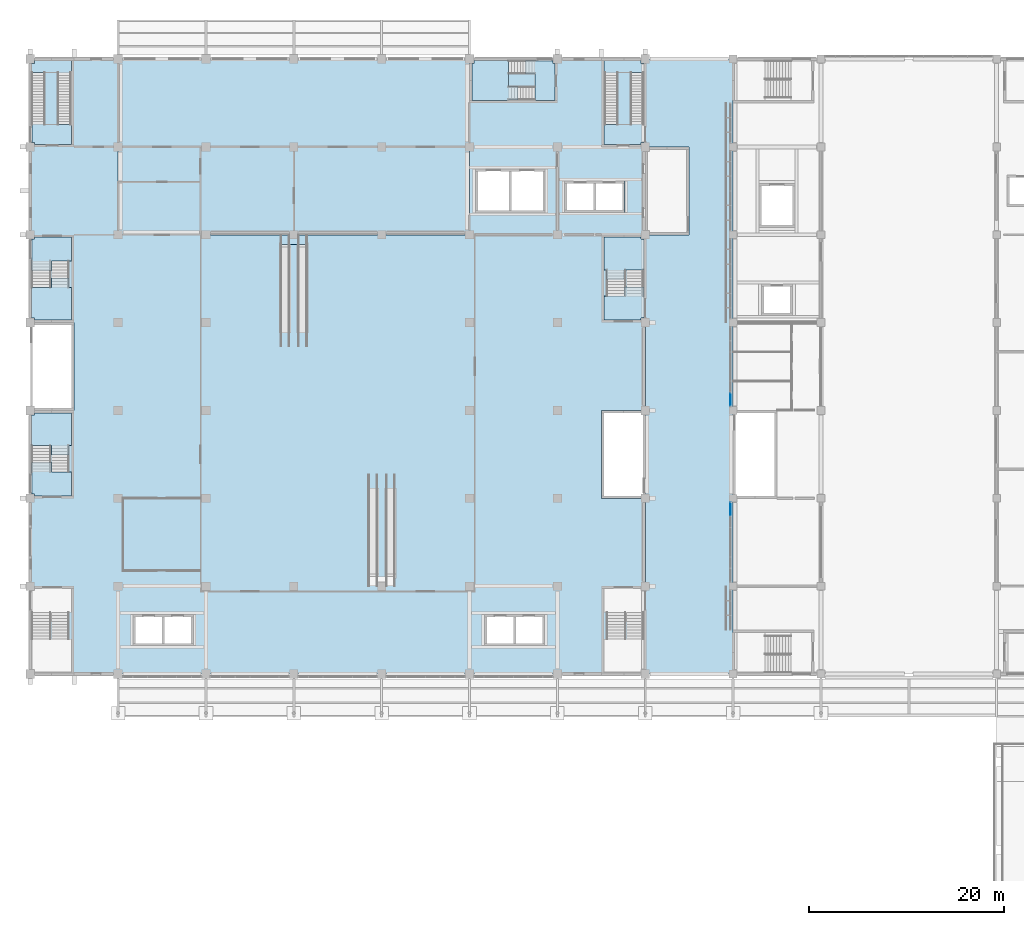
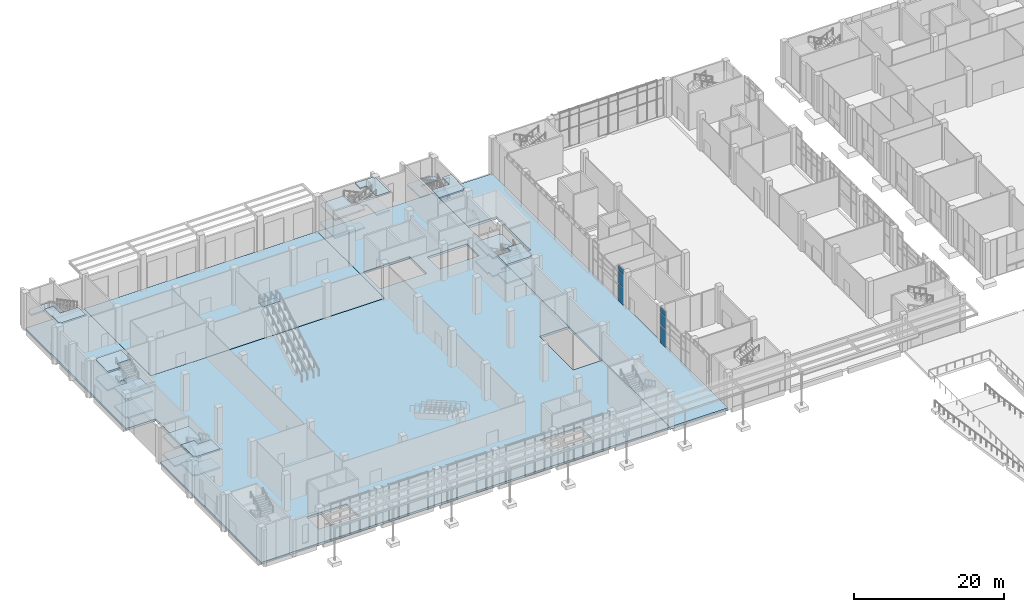
# One storey, part 41 of 86: 23 slabs, 7 plates, 8 elements without a shape of their own.
"""IFC4 building model written with IfcOpenShell, lengths in metres."""

from ifc_helpers import new_model, si_unit, direction, frame, origin, origin_2d, place, context, subcontext, project, spatial, polyline, rectangle, outline, extrude, material, layer, layer_set, type_object, element, aggregate, save


model = new_model("IFC4")

# Units and contexts
model_context = context("Model", 3, precision=1e-05, world=origin(), true_north=direction((0.0, 1.0)))
body_context = subcontext(model_context, "Body", "Model", "MODEL_VIEW")
ifc_project = project(units=[si_unit("LENGTHUNIT", "METRE"), si_unit("AREAUNIT", "SQUARE_METRE"), si_unit("VOLUMEUNIT", "CUBIC_METRE"), si_unit("PLANEANGLEUNIT", "RADIAN"), si_unit("MASSUNIT", "GRAM", prefix="KILO")], contexts=[model_context])

# Site, building, storey
site_placement = place(None, origin())
site = spatial("IfcSite", under=ifc_project, at=site_placement, CompositionType="ELEMENT")
building_placement = place(site_placement, origin())
building = spatial("IfcBuilding", under=site, at=building_placement, Name="Guidao Yard Department Store", CompositionType="ELEMENT")
storey_placement = place(building_placement, origin())
storey = spatial("IfcBuildingStorey", under=building, at=storey_placement, Name="L00", CompositionType="ELEMENT", Elevation=0.0)

# Slab
ifc_material_1 = material(Name="Concrete C35", Category="concrete")
ifc_layer_1 = layer(ifc_material_1, 0.39990234375)
ifc_layer_set_1 = layer_set([ifc_layer_1], Name="Deck slab 400 C35")
slab_type_1 = type_object("IfcSlabType", Name="Deck slab 400 C35", PredefinedType="FLOOR", material=ifc_layer_set_1)
slab_1_placement = place(storey_placement, frame((0.0, 0.0, -0.39990234375)))
element("IfcSlab", 1, at=slab_1_placement, inside=storey, type_object=slab_type_1, Name="Slab L00-L1", PredefinedType="FLOOR", context=body_context, shape_type="SweptSolid", body=[
    extrude(outline(polyline([(72.0, 45.0), (63.0, 45.0), (63.0, 63.0), (63.0, 72.0), (63.0, 90.0), (67.5, 90.0), (67.5, 99.0), (63.0, 99.0), (63.0, 108.0), (72.0, 108.0), (72.0, 72.0), (72.0, 63.0), (72.0, 45.0)])), origin(), (0.0, 0.0, 1.0), 0.39990234375),
])

# Plate
ifc_material_2 = material(Name="Stainless steel 06Cr19Ni10", Category="steel")
ifc_layer_2 = layer(ifc_material_2, 0.10009765625)
ifc_layer_set_2 = layer_set([ifc_layer_2], Name="Escalator landing plate 100")
plate_type_1 = type_object("IfcPlateType", Name="Escalator landing plate 100", PredefinedType="SHEET", material=ifc_layer_set_2)
plate_1_placement = place(storey_placement, frame((27.0, 89.49609375, 5.89990234375), z_axis=(0.0, 0.0, 1.0), x_axis=(1.0, 0.0, 0.0)))
element("IfcPlate", 2, at=plate_1_placement, inside=storey, type_object=plate_type_1, Name="Escalator EH1 upper landing plate", PredefinedType="SHEET", context=body_context, shape_type="SweptSolid", body=[
    extrude(rectangle(XDim=2.639892578125, YDim=1.008056640625, at=origin_2d()), origin(), (0.0, 0.0, 1.0), 0.10009765625),
])

# Slabs
ifc_material_3 = material(Name="Concrete C35", Category="concrete")
ifc_layer_3 = layer(ifc_material_3, 0.35009765625)
ifc_layer_set_3 = layer_set([ifc_layer_3], Name="Flat slab 350 C35")
slab_type_2 = type_object("IfcSlabType", Name="Flat slab 350 C35", PredefinedType="FLOOR", material=ifc_layer_set_3)
slab_2_placement = place(storey_placement, frame((0.0, 0.0, -0.35009765625)))
element("IfcSlab", 3, at=slab_2_placement, inside=storey, type_object=slab_type_2, Name="Slab L00-H", PredefinedType="FLOOR", context=body_context, shape_type="SweptSolid", body=[
    extrude(outline(polyline([(0.0, 72.0), (4.5, 72.0), (4.5, 81.0), (0.0, 81.0), (0.0, 108.0), (9.0, 108.0), (9.0, 90.0), (45.0, 90.0), (45.0, 108.0), (63.0, 108.0), (63.0, 99.0), (63.0, 90.0), (63.0, 72.0), (58.5, 72.0), (58.5, 63.0), (63.0, 63.0), (63.0, 45.0), (0.0, 45.0), (0.0, 72.0)]), holes=[polyline([(16.699951171875, 47.89990234375), (16.699951171875, 51.10009765625), (13.75, 51.10009765625), (13.5, 51.10009765625), (10.550048828125, 51.10009765625), (10.550048828125, 47.89990234375), (13.5, 47.89990234375), (13.75, 47.89990234375), (16.699951171875, 47.89990234375)]), polyline([(49.75, 51.10009765625), (49.5, 51.10009765625), (46.550048828125, 51.10009765625), (46.550048828125, 47.89990234375), (49.5, 47.89990234375), (49.75, 47.89990234375), (52.699951171875, 47.89990234375), (52.699951171875, 51.10009765625), (49.75, 51.10009765625)]), polyline([(57.949951171875, 95.5), (57.699951171875, 95.5), (54.75, 95.5), (54.75, 92.300048828125), (57.699951171875, 92.300048828125), (57.949951171875, 92.300048828125), (60.89990234375, 92.300048828125), (60.89990234375, 95.5), (57.949951171875, 95.5)]), polyline([(49.300048828125, 96.75), (49.050048828125, 96.75), (45.60009765625, 96.75), (45.60009765625, 92.25), (49.050048828125, 92.25), (49.300048828125, 92.25), (52.75, 92.25), (52.75, 96.75), (49.300048828125, 96.75)])]), origin(), (0.0, 0.0, 1.0), 0.35009765625),
])
ifc_material_4 = material(Name="Concrete C35", Category="concrete")
ifc_layer_4 = layer(ifc_material_4, 0.449951171875)
ifc_layer_set_4 = layer_set([ifc_layer_4], Name="Loading deck slab 450 C35")
slab_type_3 = type_object("IfcSlabType", Name="Loading deck slab 450 C35", PredefinedType="FLOOR", material=ifc_layer_set_4)
slab_3_placement = place(storey_placement, frame((0.0, 0.0, -0.449951171875)))
element("IfcSlab", 4, at=slab_3_placement, inside=storey, type_object=slab_type_3, Name="Slab L00-DK", PredefinedType="FLOOR", context=body_context, shape_type="SweptSolid", body=[
    extrude(outline(polyline([(45.0, 108.0), (45.0, 90.0), (9.0, 90.0), (9.0, 108.0), (45.0, 108.0)])), origin(), (0.0, 0.0, 1.0), 0.449951171875),
])

# Curtain wall, plate
ifc_material_5 = material(Name="Aluminium and glass", Category="aluminium")
ifc_layer_5 = layer(ifc_material_5, 0.159912109375)
ifc_layer_set_5 = layer_set([ifc_layer_5], Name="Shopfront curtain wall CW1 1500 module")
curtain_wall_type = type_object("IfcCurtainWallType", Name="Shopfront curtain wall CW1 1500 module", PredefinedType="NOTDEFINED", material=ifc_layer_set_5)
curtain_wall_1_placement = place(storey_placement, origin())
curtain_wall_1 = element("IfcCurtainWall", 5, at=curtain_wall_1_placement, inside=storey, type_object=curtain_wall_type, Name="Arcade shop front", PredefinedType="NOTDEFINED")
ifc_material_6 = material(Name="Aluminium 6063-T5 faced insulated spandrel", Category="aluminium")
ifc_layer_6 = layer(ifc_material_6, 0.06005859375)
ifc_layer_set_6 = layer_set([ifc_layer_6], Name="Spandrel panel SP1 insulated opaque")
plate_type_2 = type_object("IfcPlateType", Name="Spandrel panel SP1 insulated opaque", PredefinedType="CURTAIN_PANEL", material=ifc_layer_set_6)
plate_2_placement = place(storey_placement, frame((71.719970703125, 61.875, 5.1298828125), z_axis=(0.0, 0.0, 1.0), x_axis=(0.0, 1.0, 0.0)))
plate_2 = element("IfcPlate", 6, at=plate_2_placement, type_object=plate_type_2, Name="CW-AS-L00-04 panel 1.3", PredefinedType="CURTAIN_PANEL", context=body_context, shape_type="SweptSolid", body=[
    extrude(rectangle(XDim=1.330078125, YDim=0.06005859375, at=origin_2d()), origin(), (0.0, 0.0, 1.0), 0.81005859375),
])

curtain_wall_2_placement = place(storey_placement, origin())
curtain_wall_2 = element("IfcCurtainWall", 7, at=curtain_wall_2_placement, inside=storey, type_object=curtain_wall_type, Name="Arcade shop front", PredefinedType="NOTDEFINED")
plate_3_placement = place(storey_placement, frame((71.719970703125, 73.125, 5.1298828125), z_axis=(0.0, 0.0, 1.0), x_axis=(0.0, 1.0, 0.0)))
plate_3 = element("IfcPlate", 8, at=plate_3_placement, type_object=plate_type_2, Name="CW-AS-L00-05 panel 1.3", PredefinedType="CURTAIN_PANEL", context=body_context, shape_type="SweptSolid", body=[
    extrude(rectangle(XDim=1.330078125, YDim=0.06005859375, at=origin_2d()), origin(), (0.0, 0.0, 1.0), 0.81005859375),
])

# Stair, slabs
ifc_material_7 = material(Name="Concrete C35", Category="concrete")
stair_type_1 = type_object("IfcStairType", Name="Stair double-return four-flight 1800 wide 6.0 m rise", PredefinedType="DOUBLE_RETURN_STAIR", material=ifc_material_7)
stair_1_placement = place(storey_placement, origin())
stair_1 = element("IfcStair", 9, at=stair_1_placement, inside=storey, type_object=stair_type_1, Name="Stair A1 L00 to L01", PredefinedType="DOUBLE_RETURN_STAIR")
ifc_material_8 = material(Name="Concrete C35", Category="concrete")
ifc_layer_7 = layer(ifc_material_8, 0.25)
ifc_layer_set_7 = layer_set([ifc_layer_7], Name="Stair landing RC 250 C35")
slab_type_4 = type_object("IfcSlabType", Name="Stair landing RC 250 C35", PredefinedType="LANDING", material=ifc_layer_set_7)
slab_4_placement = place(storey_placement, frame((0.0, 0.0, 1.25)))
slab_4 = element("IfcSlab", 10, at=slab_4_placement, type_object=slab_type_4, Name="SA1-L00 landing 1", PredefinedType="LANDING", context=body_context, shape_type="SweptSolid", body=[
    extrude(outline(polyline([(2.175048828125, 68.389892578125), (0.125, 68.389892578125), (0.125, 68.39990234375), (0.125, 71.550048828125), (0.449951171875, 71.550048828125), (0.449951171875, 71.75), (4.25, 71.75), (4.25, 68.39990234375), (3.97509765625, 68.39990234375), (3.97509765625, 67.43994140625), (2.175048828125, 67.43994140625), (2.175048828125, 68.389892578125)])), origin(), (0.0, 0.0, 1.0), 0.25),
])
slab_5_placement = place(storey_placement, frame((0.0, 0.0, 2.75)))
slab_5 = element("IfcSlab", 11, at=slab_5_placement, type_object=slab_type_4, Name="SA1-L00 landing 2", PredefinedType="LANDING", context=body_context, shape_type="SweptSolid", body=[
    extrude(outline(polyline([(0.449951171875, 63.25), (0.449951171875, 63.449951171875), (0.125, 63.449951171875), (0.125, 65.699951171875), (0.125, 66.659912109375), (2.175048828125, 66.659912109375), (2.175048828125, 65.7099609375), (3.97509765625, 65.7099609375), (3.97509765625, 65.699951171875), (4.25, 65.699951171875), (4.25, 63.25), (0.449951171875, 63.25)])), origin(), (0.0, 0.0, 1.0), 0.25),
])
slab_6_placement = place(storey_placement, frame((0.0, 0.0, 4.25)))
slab_6 = element("IfcSlab", 12, at=slab_6_placement, type_object=slab_type_4, Name="SA1-L00 landing 3", PredefinedType="LANDING", context=body_context, shape_type="SweptSolid", body=[
    extrude(outline(polyline([(2.175048828125, 68.389892578125), (0.125, 68.389892578125), (0.125, 68.39990234375), (0.125, 71.550048828125), (0.449951171875, 71.550048828125), (0.449951171875, 71.75), (4.25, 71.75), (4.25, 68.39990234375), (3.97509765625, 68.39990234375), (3.97509765625, 67.43994140625), (2.175048828125, 67.43994140625), (2.175048828125, 68.389892578125)])), origin(), (0.0, 0.0, 1.0), 0.25),
])
slab_7_placement = place(storey_placement, frame((0.0, 0.0, 5.75)))
slab_7 = element("IfcSlab", 13, at=slab_7_placement, type_object=slab_type_4, Name="SA1-L00 landing 4", PredefinedType="LANDING", context=body_context, shape_type="SweptSolid", body=[
    extrude(outline(polyline([(0.125, 65.699951171875), (0.125, 66.659912109375), (2.175048828125, 66.659912109375), (2.175048828125, 65.7099609375), (4.25, 65.7099609375), (4.25, 63.25), (2.175048828125, 63.25), (0.449951171875, 63.25), (0.449951171875, 63.449951171875), (0.199951171875, 63.449951171875), (0.199951171875, 65.699951171875), (0.125, 65.699951171875)])), origin(), (0.0, 0.0, 1.0), 0.25),
])
aggregate(stair_1, [slab_4, slab_5, slab_6, slab_7])

stair_2_placement = place(storey_placement, origin())
stair_2 = element("IfcStair", 14, at=stair_2_placement, inside=storey, type_object=stair_type_1, Name="Stair A3 L00 to L01", PredefinedType="DOUBLE_RETURN_STAIR")
slab_8_placement = place(storey_placement, frame((0.0, 0.0, 1.25)))
slab_8 = element("IfcSlab", 15, at=slab_8_placement, type_object=slab_type_4, Name="SA3-L00 landing 1", PredefinedType="LANDING", context=body_context, shape_type="SweptSolid", body=[
    extrude(outline(polyline([(0.449951171875, 81.25), (0.449951171875, 81.449951171875), (0.125, 81.449951171875), (0.125, 84.60009765625), (0.125, 84.610107421875), (2.175048828125, 84.610107421875), (2.175048828125, 85.56005859375), (3.97509765625, 85.56005859375), (3.97509765625, 84.60009765625), (4.25, 84.60009765625), (4.25, 81.25), (0.449951171875, 81.25)])), origin(), (0.0, 0.0, 1.0), 0.25),
])
slab_9_placement = place(storey_placement, frame((0.0, 0.0, 2.75)))
slab_9 = element("IfcSlab", 16, at=slab_9_placement, type_object=slab_type_4, Name="SA3-L00 landing 2", PredefinedType="LANDING", context=body_context, shape_type="SweptSolid", body=[
    extrude(outline(polyline([(0.125, 87.300048828125), (0.125, 89.550048828125), (0.449951171875, 89.550048828125), (0.449951171875, 89.75), (4.25, 89.75), (4.25, 87.300048828125), (3.97509765625, 87.300048828125), (3.97509765625, 87.2900390625), (2.175048828125, 87.2900390625), (2.175048828125, 86.340087890625), (0.125, 86.340087890625), (0.125, 87.300048828125)])), origin(), (0.0, 0.0, 1.0), 0.25),
])
slab_10_placement = place(storey_placement, frame((0.0, 0.0, 4.25)))
slab_10 = element("IfcSlab", 17, at=slab_10_placement, type_object=slab_type_4, Name="SA3-L00 landing 3", PredefinedType="LANDING", context=body_context, shape_type="SweptSolid", body=[
    extrude(outline(polyline([(0.449951171875, 81.25), (0.449951171875, 81.449951171875), (0.125, 81.449951171875), (0.125, 84.60009765625), (0.125, 84.610107421875), (2.175048828125, 84.610107421875), (2.175048828125, 85.56005859375), (3.97509765625, 85.56005859375), (3.97509765625, 84.60009765625), (4.25, 84.60009765625), (4.25, 81.25), (0.449951171875, 81.25)])), origin(), (0.0, 0.0, 1.0), 0.25),
])
slab_11_placement = place(storey_placement, frame((0.0, 0.0, 5.75)))
slab_11 = element("IfcSlab", 18, at=slab_11_placement, type_object=slab_type_4, Name="SA3-L00 landing 4", PredefinedType="LANDING", context=body_context, shape_type="SweptSolid", body=[
    extrude(outline(polyline([(0.125, 87.300048828125), (0.199951171875, 87.300048828125), (0.199951171875, 89.550048828125), (0.449951171875, 89.550048828125), (0.449951171875, 89.75), (2.175048828125, 89.75), (4.25, 89.75), (4.25, 87.2900390625), (2.175048828125, 87.2900390625), (2.175048828125, 86.340087890625), (0.125, 86.340087890625), (0.125, 87.300048828125)])), origin(), (0.0, 0.0, 1.0), 0.25),
])
aggregate(stair_2, [slab_8, slab_9, slab_10, slab_11])

stair_3_placement = place(storey_placement, origin())
stair_3 = element("IfcStair", 19, at=stair_3_placement, inside=storey, type_object=stair_type_1, Name="Stair A4 L00 to L01", PredefinedType="DOUBLE_RETURN_STAIR")
slab_12_placement = place(storey_placement, frame((0.0, 0.0, 1.25)))
slab_12 = element("IfcSlab", 20, at=slab_12_placement, type_object=slab_type_4, Name="SA4-L00 landing 1", PredefinedType="LANDING", context=body_context, shape_type="SweptSolid", body=[
    extrude(outline(polyline([(59.02490234375, 86.39990234375), (58.75, 86.39990234375), (58.75, 89.75), (62.550048828125, 89.75), (62.550048828125, 89.550048828125), (62.875, 89.550048828125), (62.875, 86.39990234375), (62.875, 86.389892578125), (60.824951171875, 86.389892578125), (60.824951171875, 85.43994140625), (59.02490234375, 85.43994140625), (59.02490234375, 86.39990234375)])), origin(), (0.0, 0.0, 1.0), 0.25),
])
slab_13_placement = place(storey_placement, frame((0.0, 0.0, 2.75)))
slab_13 = element("IfcSlab", 21, at=slab_13_placement, type_object=slab_type_4, Name="SA4-L00 landing 2", PredefinedType="LANDING", context=body_context, shape_type="SweptSolid", body=[
    extrude(outline(polyline([(58.75, 83.699951171875), (59.02490234375, 83.699951171875), (59.02490234375, 83.7099609375), (60.824951171875, 83.7099609375), (60.824951171875, 84.659912109375), (62.875, 84.659912109375), (62.875, 83.699951171875), (62.875, 81.449951171875), (62.550048828125, 81.449951171875), (62.550048828125, 81.25), (58.75, 81.25), (58.75, 83.699951171875)])), origin(), (0.0, 0.0, 1.0), 0.25),
])
slab_14_placement = place(storey_placement, frame((0.0, 0.0, 4.25)))
slab_14 = element("IfcSlab", 22, at=slab_14_placement, type_object=slab_type_4, Name="SA4-L00 landing 3", PredefinedType="LANDING", context=body_context, shape_type="SweptSolid", body=[
    extrude(outline(polyline([(59.02490234375, 86.39990234375), (58.75, 86.39990234375), (58.75, 89.75), (62.550048828125, 89.75), (62.550048828125, 89.550048828125), (62.875, 89.550048828125), (62.875, 86.39990234375), (62.875, 86.389892578125), (60.824951171875, 86.389892578125), (60.824951171875, 85.43994140625), (59.02490234375, 85.43994140625), (59.02490234375, 86.39990234375)])), origin(), (0.0, 0.0, 1.0), 0.25),
])
slab_15_placement = place(storey_placement, frame((0.0, 0.0, 5.75)))
slab_15 = element("IfcSlab", 23, at=slab_15_placement, type_object=slab_type_4, Name="SA4-L00 landing 4", PredefinedType="LANDING", context=body_context, shape_type="SweptSolid", body=[
    extrude(outline(polyline([(58.75, 81.25), (58.75, 83.7099609375), (60.824951171875, 83.7099609375), (60.824951171875, 84.659912109375), (62.875, 84.659912109375), (62.875, 83.699951171875), (62.800048828125, 83.699951171875), (62.800048828125, 81.449951171875), (62.550048828125, 81.449951171875), (62.550048828125, 81.25), (60.824951171875, 81.25), (58.75, 81.25)])), origin(), (0.0, 0.0, 1.0), 0.25),
])
aggregate(stair_3, [slab_12, slab_13, slab_14, slab_15])

ifc_material_9 = material(Name="Concrete C35", Category="concrete")
stair_type_2 = type_object("IfcStairType", Name="Stair half-turn two-flight 1400 wide 6.0 m rise", PredefinedType="HALF_TURN_STAIR", material=ifc_material_9)
stair_4_placement = place(storey_placement, origin())
stair_4 = element("IfcStair", 24, at=stair_4_placement, inside=storey, type_object=stair_type_2, Name="Stair A5 L00 to L01", PredefinedType="HALF_TURN_STAIR")
slab_16_placement = place(storey_placement, frame((0.0, 0.0, 2.75)))
slab_16 = element("IfcSlab", 25, at=slab_16_placement, type_object=slab_type_4, Name="SA5-L00 landing 1", PredefinedType="LANDING", context=body_context, shape_type="SweptSolid", body=[
    extrude(outline(polyline([(2.800048828125, 106.6201171875), (1.52490234375, 106.6201171875), (1.52490234375, 106.610107421875), (0.125, 106.610107421875), (0.125, 106.6201171875), (0.125, 107.550048828125), (0.449951171875, 107.550048828125), (0.449951171875, 107.875), (4.25, 107.875), (4.25, 106.6201171875), (4.199951171875, 106.6201171875), (4.199951171875, 104.342041015625), (2.800048828125, 104.342041015625), (2.800048828125, 106.6201171875)])), origin(), (0.0, 0.0, 1.0), 0.25),
])
slab_17_placement = place(storey_placement, frame((0.0, 0.0, 5.75)))
slab_17 = element("IfcSlab", 26, at=slab_17_placement, type_object=slab_type_4, Name="SA5-L00 landing 2", PredefinedType="LANDING", context=body_context, shape_type="SweptSolid", body=[
    extrude(outline(polyline([(4.25, 101.31005859375), (4.25, 99.25), (2.800048828125, 99.25), (0.449951171875, 99.25), (0.449951171875, 99.449951171875), (0.199951171875, 99.449951171875), (0.199951171875, 101.300048828125), (0.125, 101.300048828125), (0.125, 103.1298828125), (1.52490234375, 103.1298828125), (1.52490234375, 101.300048828125), (2.800048828125, 101.300048828125), (2.800048828125, 101.31005859375), (4.25, 101.31005859375)])), origin(), (0.0, 0.0, 1.0), 0.25),
])
aggregate(stair_4, [slab_16, slab_17])

stair_5_placement = place(storey_placement, origin())
stair_5 = element("IfcStair", 27, at=stair_5_placement, inside=storey, type_object=stair_type_2, Name="Stair A6 L00 to L01", PredefinedType="HALF_TURN_STAIR")
slab_18_placement = place(storey_placement, frame((0.0, 0.0, 2.75)))
slab_18 = element("IfcSlab", 28, at=slab_18_placement, type_object=slab_type_4, Name="SA6-L00 landing 1", PredefinedType="LANDING", context=body_context, shape_type="SweptSolid", body=[
    extrude(outline(polyline([(58.800048828125, 106.6201171875), (58.75, 106.6201171875), (58.75, 107.875), (62.550048828125, 107.875), (62.550048828125, 107.550048828125), (62.875, 107.550048828125), (62.875, 106.6201171875), (62.875, 106.610107421875), (61.47509765625, 106.610107421875), (61.47509765625, 106.6201171875), (60.199951171875, 106.6201171875), (60.199951171875, 104.342041015625), (58.800048828125, 104.342041015625), (58.800048828125, 106.6201171875)])), origin(), (0.0, 0.0, 1.0), 0.25),
])
slab_19_placement = place(storey_placement, frame((0.0, 0.0, 5.75)))
slab_19 = element("IfcSlab", 29, at=slab_19_placement, type_object=slab_type_4, Name="SA6-L00 landing 2", PredefinedType="LANDING", context=body_context, shape_type="SweptSolid", body=[
    extrude(outline(polyline([(58.75, 99.25), (58.75, 101.31005859375), (60.199951171875, 101.31005859375), (60.199951171875, 101.300048828125), (61.47509765625, 101.300048828125), (61.47509765625, 103.1298828125), (62.875, 103.1298828125), (62.875, 101.300048828125), (62.800048828125, 101.300048828125), (62.800048828125, 99.449951171875), (62.550048828125, 99.449951171875), (62.550048828125, 99.25), (60.199951171875, 99.25), (58.75, 99.25)])), origin(), (0.0, 0.0, 1.0), 0.25),
])
aggregate(stair_5, [slab_18, slab_19])

ifc_material_10 = material(Name="Concrete C35", Category="concrete")
stair_type_3 = type_object("IfcStairType", Name="Stair double-return four-flight 1400 wide 6.0 m rise", PredefinedType="DOUBLE_RETURN_STAIR", material=ifc_material_10)
stair_6_placement = place(storey_placement, origin())
stair_6 = element("IfcStair", 30, at=stair_6_placement, inside=storey, type_object=stair_type_3, Name="Stair A7 L00 to L01", PredefinedType="DOUBLE_RETURN_STAIR")
slab_20_placement = place(storey_placement, frame((0.0, 0.0, 1.25)))
slab_20 = element("IfcSlab", 31, at=slab_20_placement, type_object=slab_type_4, Name="SA7-L00 landing 1", PredefinedType="LANDING", context=body_context, shape_type="SweptSolid", body=[
    extrude(outline(polyline([(49.0, 103.800048828125), (49.0, 103.75), (45.25, 103.75), (45.25, 107.550048828125), (45.449951171875, 107.550048828125), (45.449951171875, 107.875), (49.0, 107.875), (49.010009765625, 107.875), (49.010009765625, 106.47509765625), (49.0, 106.47509765625), (49.0, 105.199951171875), (49.9599609375, 105.199951171875), (49.9599609375, 103.800048828125), (49.0, 103.800048828125)])), origin(), (0.0, 0.0, 1.0), 0.25),
])
slab_21_placement = place(storey_placement, frame((0.0, 0.0, 2.75)))
slab_21 = element("IfcSlab", 32, at=slab_21_placement, type_object=slab_type_4, Name="SA7-L00 landing 2", PredefinedType="LANDING", context=body_context, shape_type="SweptSolid", body=[
    extrude(outline(polyline([(51.699951171875, 105.199951171875), (51.699951171875, 106.47509765625), (50.739990234375, 106.47509765625), (50.739990234375, 107.875), (51.699951171875, 107.875), (53.550048828125, 107.875), (53.550048828125, 107.550048828125), (53.75, 107.550048828125), (53.75, 103.75), (51.699951171875, 103.75), (51.699951171875, 103.800048828125), (51.68994140625, 103.800048828125), (51.68994140625, 105.199951171875), (51.699951171875, 105.199951171875)])), origin(), (0.0, 0.0, 1.0), 0.25),
])
slab_22_placement = place(storey_placement, frame((0.0, 0.0, 4.25)))
slab_22 = element("IfcSlab", 33, at=slab_22_placement, type_object=slab_type_4, Name="SA7-L00 landing 3", PredefinedType="LANDING", context=body_context, shape_type="SweptSolid", body=[
    extrude(outline(polyline([(49.0, 103.800048828125), (49.0, 103.75), (45.25, 103.75), (45.25, 107.550048828125), (45.449951171875, 107.550048828125), (45.449951171875, 107.875), (49.0, 107.875), (49.010009765625, 107.875), (49.010009765625, 106.47509765625), (49.0, 106.47509765625), (49.0, 105.199951171875), (49.9599609375, 105.199951171875), (49.9599609375, 103.800048828125), (49.0, 103.800048828125)])), origin(), (0.0, 0.0, 1.0), 0.25),
])
slab_23_placement = place(storey_placement, frame((0.0, 0.0, 5.75)))
slab_23 = element("IfcSlab", 34, at=slab_23_placement, type_object=slab_type_4, Name="SA7-L00 landing 4", PredefinedType="LANDING", context=body_context, shape_type="SweptSolid", body=[
    extrude(outline(polyline([(51.68994140625, 105.199951171875), (51.699951171875, 105.199951171875), (51.699951171875, 106.47509765625), (50.739990234375, 106.47509765625), (50.739990234375, 107.875), (51.699951171875, 107.875), (51.699951171875, 107.800048828125), (53.550048828125, 107.800048828125), (53.550048828125, 107.550048828125), (53.75, 107.550048828125), (53.75, 105.199951171875), (53.75, 103.75), (51.68994140625, 103.75), (51.68994140625, 105.199951171875)])), origin(), (0.0, 0.0, 1.0), 0.25),
])
aggregate(stair_6, [slab_20, slab_21, slab_22, slab_23])

# Plate
ifc_material_11 = material(Name="Laminated heat-soaked tempered glass", Category="glass")
ifc_layer_8 = layer(ifc_material_11, 0.017578125)
ifc_layer_set_8 = layer_set([ifc_layer_8], Name="Vision glass VG1 laminated heat-soaked tempered 8+8")
plate_type_3 = type_object("IfcPlateType", Name="Vision glass VG1 laminated heat-soaked tempered 8+8", PredefinedType="CURTAIN_PANEL", material=ifc_layer_set_8)
plate_4_placement = place(storey_placement, frame((71.719970703125, 61.875, 0.06005859375), z_axis=(0.0, 0.0, 1.0), x_axis=(0.0, 1.0, 0.0)))
plate_4 = element("IfcPlate", 35, at=plate_4_placement, type_object=plate_type_3, Name="CW-AS-L00-04 panel 1.1", PredefinedType="CURTAIN_PANEL", context=body_context, shape_type="SweptSolid", body=[
    extrude(rectangle(XDim=1.330078125, YDim=0.017578125, at=origin_2d()), origin(), (0.0, 0.0, 1.0), 2.909912109375),
])

plate_5_placement = place(storey_placement, frame((71.719970703125, 61.875, 3.030029296875), z_axis=(0.0, 0.0, 1.0), x_axis=(0.0, 1.0, 0.0)))
plate_5 = element("IfcPlate", 36, at=plate_5_placement, type_object=plate_type_3, Name="CW-AS-L00-04 panel 1.2", PredefinedType="CURTAIN_PANEL", context=body_context, shape_type="SweptSolid", body=[
    extrude(rectangle(XDim=1.330078125, YDim=0.017578125, at=origin_2d()), origin(), (0.0, 0.0, 1.0), 2.0400390625),
])

aggregate(curtain_wall_1, [plate_4, plate_5, plate_2])

plate_6_placement = place(storey_placement, frame((71.719970703125, 73.125, 0.06005859375), z_axis=(0.0, 0.0, 1.0), x_axis=(0.0, 1.0, 0.0)))
plate_6 = element("IfcPlate", 37, at=plate_6_placement, type_object=plate_type_3, Name="CW-AS-L00-05 panel 1.1", PredefinedType="CURTAIN_PANEL", context=body_context, shape_type="SweptSolid", body=[
    extrude(rectangle(XDim=1.330078125, YDim=0.017578125, at=origin_2d()), origin(), (0.0, 0.0, 1.0), 2.909912109375),
])

plate_7_placement = place(storey_placement, frame((71.719970703125, 73.125, 3.030029296875), z_axis=(0.0, 0.0, 1.0), x_axis=(0.0, 1.0, 0.0)))
plate_7 = element("IfcPlate", 38, at=plate_7_placement, type_object=plate_type_3, Name="CW-AS-L00-05 panel 1.2", PredefinedType="CURTAIN_PANEL", context=body_context, shape_type="SweptSolid", body=[
    extrude(rectangle(XDim=1.330078125, YDim=0.017578125, at=origin_2d()), origin(), (0.0, 0.0, 1.0), 2.0400390625),
])

aggregate(curtain_wall_2, [plate_6, plate_7, plate_3])

save(model, "model.ifc")
